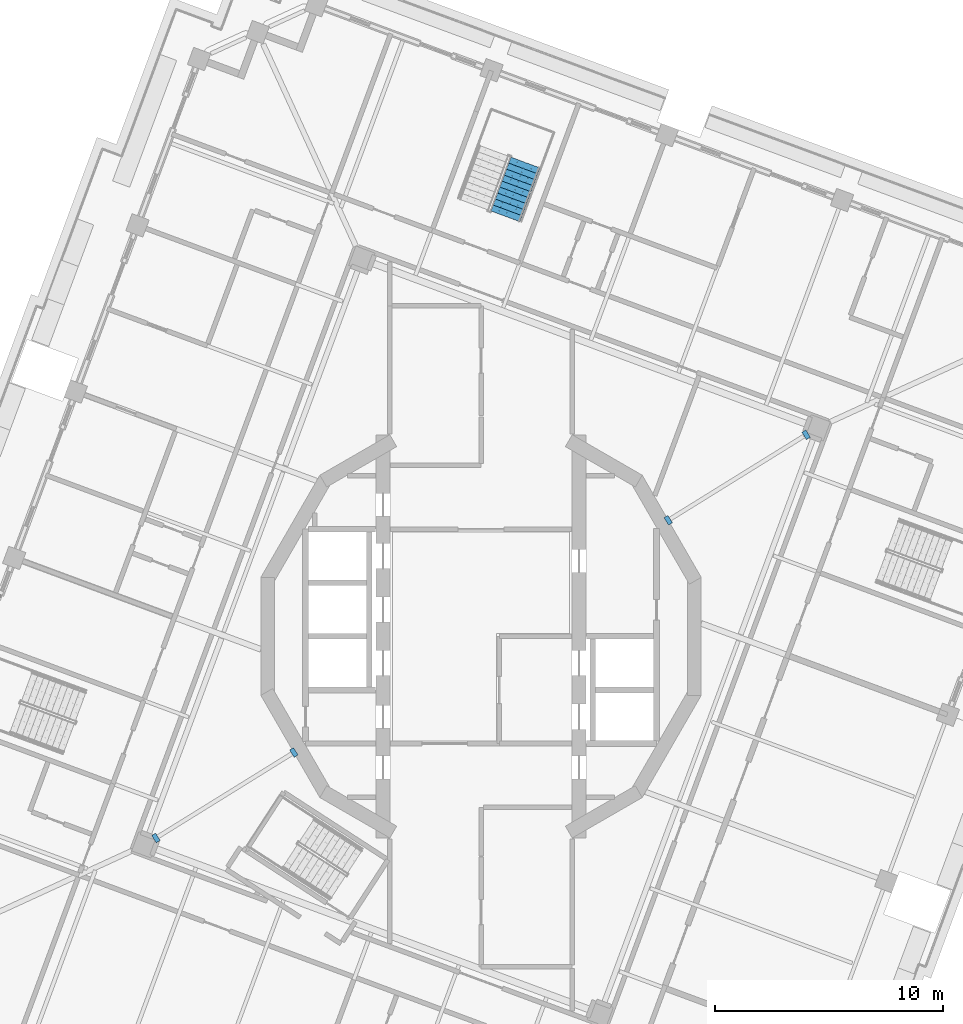
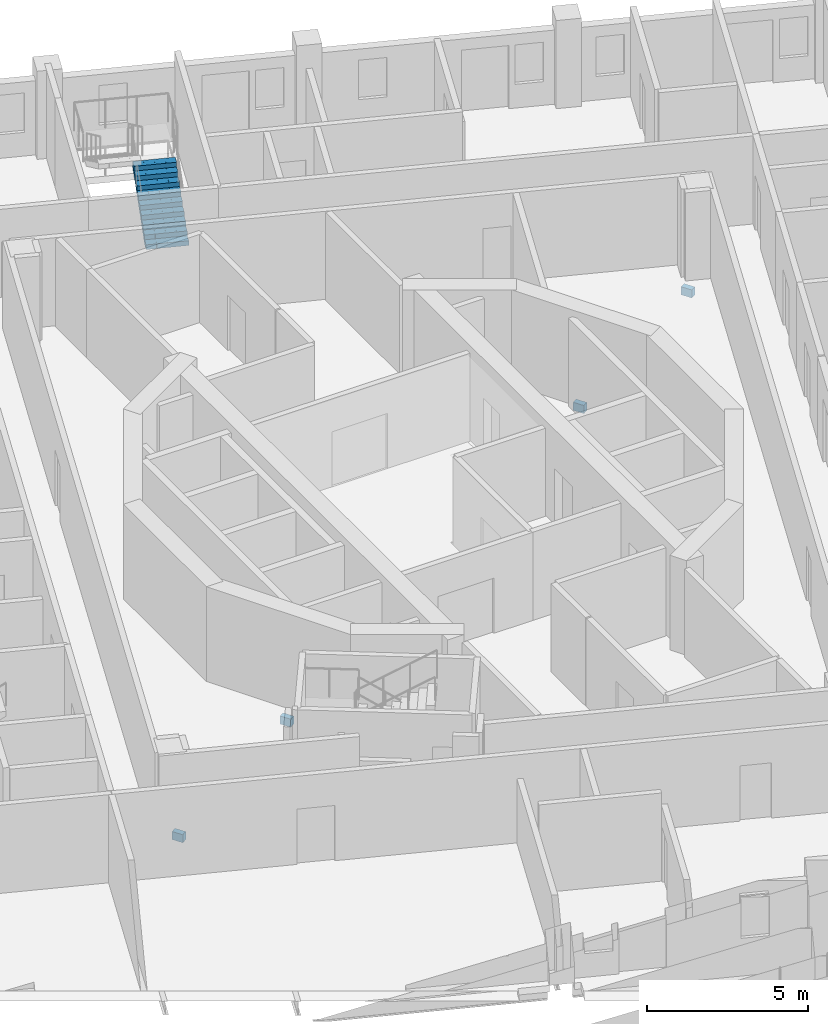
# One storey, part 11 of 19: 4 discrete accessories, 1 stair flight, 1 element without a shape of its own.
"""IFC4 building model written with IfcOpenShell, lengths in metres."""

from ifc_helpers import new_model, si_unit, direction, frame, origin, place, context, subcontext, project, spatial, polyline, outline, extrude, material, layer, layer_set, type_object, element, aggregate, save


model = new_model("IFC4")

# Units and contexts
model_context = context("Model", 3, precision=1e-05, world=origin(), true_north=direction((0.0, 1.0)))
body_context = subcontext(model_context, "Body", "Model", "MODEL_VIEW")
ifc_project = project(units=[si_unit("LENGTHUNIT", "METRE"), si_unit("AREAUNIT", "SQUARE_METRE"), si_unit("VOLUMEUNIT", "CUBIC_METRE"), si_unit("PLANEANGLEUNIT", "RADIAN"), si_unit("MASSUNIT", "GRAM", prefix="KILO")], contexts=[model_context])

# Site, building, storey
site_placement = place(None, origin())
site = spatial("IfcSite", under=ifc_project, at=site_placement, CompositionType="ELEMENT")
building_placement = place(site_placement, origin())
building = spatial("IfcBuilding", under=site, at=building_placement, Name="Cantera Rosa Tower", CompositionType="ELEMENT")
storey_placement = place(building_placement, frame((0.0, 0.0, 327.699951171875)))
storey = spatial("IfcBuildingStorey", under=building, at=storey_placement, Name="L73", CompositionType="ELEMENT", Elevation=327.699951171875)

# Stair, stair flight
ifc_material_1 = material(Name="Concrete C35/45", Category="concrete")
stair_type = type_object("IfcStairType", Name="EXIT STAIR 1350 DOGLEG", PredefinedType="HALF_TURN_STAIR", material=ifc_material_1)
stair_placement = place(storey_placement, origin())
stair = element("IfcStair", 1, at=stair_placement, inside=storey, type_object=stair_type, Name="L73 ST-62", PredefinedType="HALF_TURN_STAIR")
ifc_material_2 = material(Name="Concrete C35/45", Category="concrete")
stair_flight_type = type_object("IfcStairFlightType", Name="STAIR FLIGHT 1350 R20x180", PredefinedType="STRAIGHT", material=ifc_material_2)
stair_flight_placement = place(storey_placement, frame((1.069580078125, 18.426513671875, 0.0), z_axis=(0.0, 0.0, 1.0), x_axis=(0.347481229039, 0.937686938944, 0.0)))
stair_flight = element("IfcStairFlight", 2, at=stair_flight_placement, type_object=stair_flight_type, Name="ST-62 flight 1", NumberOfRisers=10, NumberOfTreads=9, PredefinedType="STRAIGHT", RiserHeight=0.18, TreadLength=0.28, context=body_context, shape_type="SweptSolid", body=[
    extrude(outline(polyline([(0.0, 0.0), (0.0, 0.179931640625), (0.280029296875, 0.179931640625), (0.280029296875, 0.360107421875), (0.56005859375, 0.360107421875), (0.56005859375, 0.5400390625), (0.840087890625, 0.5400390625), (0.840087890625, 0.719970703125), (1.1201171875, 0.719970703125), (1.1201171875, 0.89990234375), (1.39990234375, 0.89990234375), (1.39990234375, 1.080078125), (1.679931640625, 1.080078125), (1.679931640625, 1.260009765625), (1.9599609375, 1.260009765625), (1.9599609375, 1.43994140625), (2.239990234375, 1.43994140625), (2.239990234375, 1.6201171875), (2.52001953125, 1.6201171875), (2.52001953125, 1.800048828125), (2.52001953125, 1.44189453125), (0.277099609375, 0.0), (0.0, 0.0)])), frame((0.0, 0.675048828125, 0.0), z_axis=(0.0, -1.0, 0.0), x_axis=(1.0, 0.0, 0.0)), (0.0, 0.0, 1.0), 0.3359375),
    extrude(outline(polyline([(0.0, 0.0), (0.0, 0.179931640625), (0.280029296875, 0.179931640625), (0.280029296875, 0.360107421875), (0.56005859375, 0.360107421875), (0.56005859375, 0.5400390625), (0.840087890625, 0.5400390625), (0.840087890625, 0.719970703125), (1.1201171875, 0.719970703125), (1.1201171875, 0.89990234375), (1.39990234375, 0.89990234375), (1.39990234375, 1.080078125), (1.679931640625, 1.080078125), (1.679931640625, 1.260009765625), (1.9599609375, 1.260009765625), (1.9599609375, 1.43994140625), (2.239990234375, 1.43994140625), (2.239990234375, 1.6201171875), (2.52001953125, 1.6201171875), (2.52001953125, 1.800048828125), (2.52001953125, 1.44189453125), (0.277099609375, 0.0), (0.0, 0.0)])), frame((0.0, 0.337158203125, 0.0), z_axis=(0.0, -1.0, 0.0), x_axis=(1.0, 0.0, 0.0)), (0.0, 0.0, 1.0), 0.3359375),
    extrude(outline(polyline([(0.0, 0.0), (0.0, 0.179931640625), (0.280029296875, 0.179931640625), (0.280029296875, 0.360107421875), (0.56005859375, 0.360107421875), (0.56005859375, 0.5400390625), (0.840087890625, 0.5400390625), (0.840087890625, 0.719970703125), (1.1201171875, 0.719970703125), (1.1201171875, 0.89990234375), (1.39990234375, 0.89990234375), (1.39990234375, 1.080078125), (1.679931640625, 1.080078125), (1.679931640625, 1.260009765625), (1.9599609375, 1.260009765625), (1.9599609375, 1.43994140625), (2.239990234375, 1.43994140625), (2.239990234375, 1.6201171875), (2.52001953125, 1.6201171875), (2.52001953125, 1.800048828125), (2.52001953125, 1.44189453125), (0.277099609375, 0.0), (0.0, 0.0)])), frame((0.0, -0.000732421875, 0.0), z_axis=(0.0, -1.0, 0.0), x_axis=(1.0, 0.0, 0.0)), (0.0, 0.0, 1.0), 0.3359375),
    extrude(outline(polyline([(0.0, 0.0), (0.0, 0.179931640625), (0.280029296875, 0.179931640625), (0.280029296875, 0.360107421875), (0.56005859375, 0.360107421875), (0.56005859375, 0.5400390625), (0.840087890625, 0.5400390625), (0.840087890625, 0.719970703125), (1.1201171875, 0.719970703125), (1.1201171875, 0.89990234375), (1.39990234375, 0.89990234375), (1.39990234375, 1.080078125), (1.679931640625, 1.080078125), (1.679931640625, 1.260009765625), (1.9599609375, 1.260009765625), (1.9599609375, 1.43994140625), (2.239990234375, 1.43994140625), (2.239990234375, 1.6201171875), (2.52001953125, 1.6201171875), (2.52001953125, 1.800048828125), (2.52001953125, 1.44189453125), (0.277099609375, 0.0), (0.0, 0.0)])), frame((0.0, -0.338623046875, 0.0), z_axis=(0.0, -1.0, 0.0), x_axis=(1.0, 0.0, 0.0)), (0.0, 0.0, 1.0), 0.3359375),
])
aggregate(stair, [stair_flight])

# Discrete accessories
ifc_material_3 = material(Name="Steel ASTM A992 (Fy 345 MPa)", Category="steel")
ifc_layer = layer(ifc_material_3, 0.0400390625)
ifc_layer_set = layer_set([ifc_layer], Name="STEEL BEARING PLATE 40")
discrete_accessory_type = type_object("IfcDiscreteAccessoryType", Name="STEEL BEARING PLATE 40", PredefinedType="ANCHORPLATE", material=ifc_layer_set)
discrete_accessory_1_placement = place(storey_placement, frame((0.0, 0.0, -0.60595703125)))
element("IfcDiscreteAccessory", 3, at=discrete_accessory_1_placement, inside=storey, type_object=discrete_accessory_type, Name="BEARING PLATE PG-Z6-01 end 1 L73", PredefinedType="ANCHORPLATE", context=body_context, shape_type="SweptSolid", body=[
    extrude(outline(polyline([(-14.277099609375, -8.6318359375), (-14.447021484375, -8.7373046875), (-14.247802734375, -9.05859375), (-14.077880859375, -8.953125), (-14.277099609375, -8.6318359375)])), origin(), (0.0, 0.0, 1.0), 0.305908203125),
])
discrete_accessory_2_placement = place(storey_placement, frame((0.0, 0.0, -0.60595703125)))
element("IfcDiscreteAccessory", 4, at=discrete_accessory_2_placement, inside=storey, type_object=discrete_accessory_type, Name="BEARING PLATE PG-Z6-01 end 2 L73", PredefinedType="ANCHORPLATE", context=body_context, shape_type="SweptSolid", body=[
    extrude(outline(polyline([(-8.1982421875, -5.306640625), (-8.0283203125, -5.201416015625), (-8.2275390625, -4.880126953125), (-8.3974609375, -4.985595703125), (-8.1982421875, -5.306640625)])), origin(), (0.0, 0.0, 1.0), 0.305908203125),
])
discrete_accessory_3_placement = place(storey_placement, frame((0.0, 0.0, -0.60595703125)))
element("IfcDiscreteAccessory", 5, at=discrete_accessory_3_placement, inside=storey, type_object=discrete_accessory_type, Name="BEARING PLATE PG-Z6-02 end 1 L73", PredefinedType="ANCHORPLATE", context=body_context, shape_type="SweptSolid", body=[
    extrude(outline(polyline([(14.277099609375, 8.6318359375), (14.447021484375, 8.7373046875), (14.247802734375, 9.05859375), (14.077880859375, 8.953125), (14.277099609375, 8.6318359375)])), origin(), (0.0, 0.0, 1.0), 0.305908203125),
])
discrete_accessory_4_placement = place(storey_placement, frame((0.0, 0.0, -0.60595703125)))
element("IfcDiscreteAccessory", 6, at=discrete_accessory_4_placement, inside=storey, type_object=discrete_accessory_type, Name="BEARING PLATE PG-Z6-02 end 2 L73", PredefinedType="ANCHORPLATE", context=body_context, shape_type="SweptSolid", body=[
    extrude(outline(polyline([(8.1982421875, 5.306640625), (8.0283203125, 5.201416015625), (8.2275390625, 4.880126953125), (8.3974609375, 4.985595703125), (8.1982421875, 5.306640625)])), origin(), (0.0, 0.0, 1.0), 0.305908203125),
])

save(model, "model.ifc")
